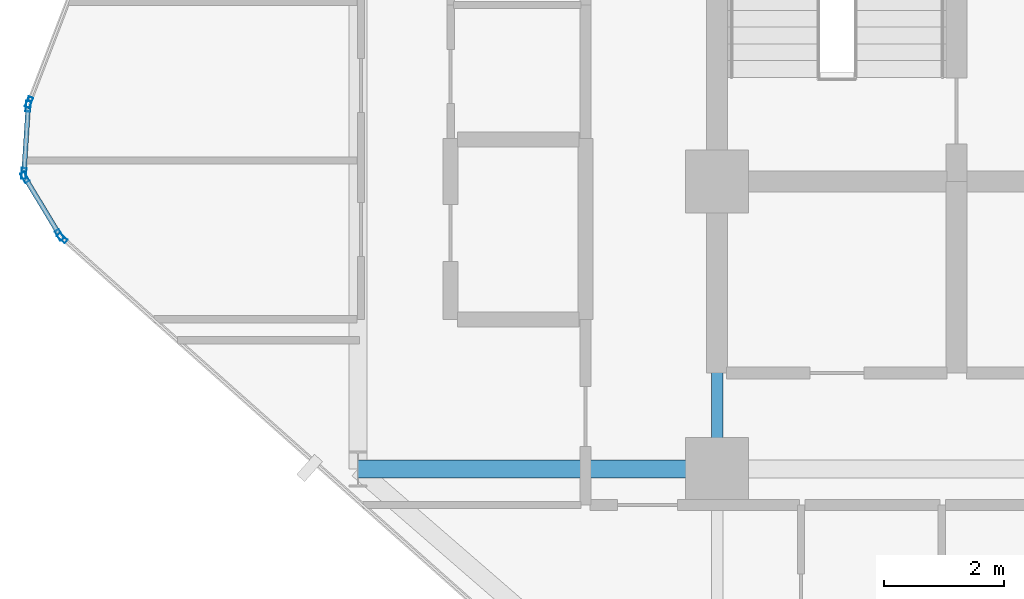
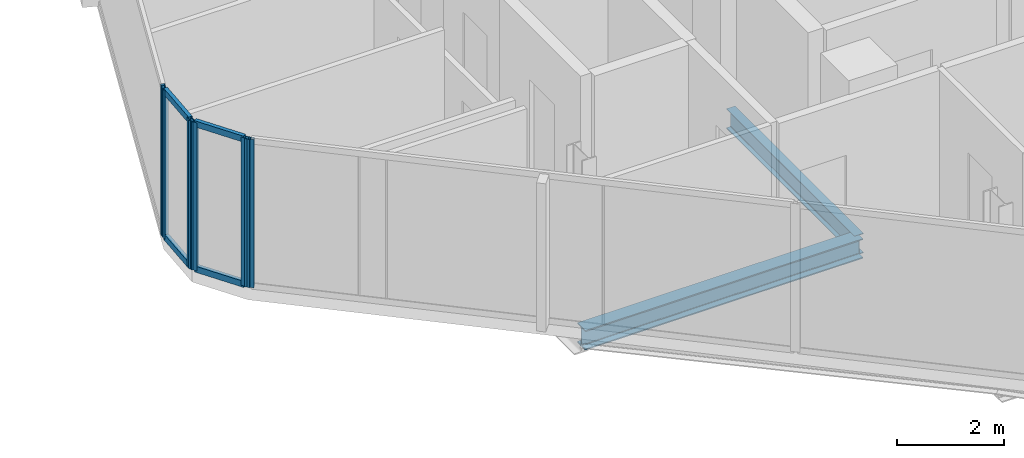
# One storey, part 6 of 29: 10 members, 2 beams, 4 elements without a shape of their own.
"""IFC4 building model written with IfcOpenShell, lengths in metres."""

from ifc_helpers import new_model, si_unit, direction, frame, origin, origin_2d, place, context, subcontext, project, spatial, hollow_rectangle, i_section, extrude, material, layer, layer_set, material_profile, profile_set, type_object, element, aggregate, save


model = new_model("IFC4")

# Units and contexts
model_context = context("Model", 3, precision=1e-05, world=origin(), true_north=direction((0.0, 1.0)))
body_context = subcontext(model_context, "Body", "Model", "MODEL_VIEW")
ifc_project = project(units=[si_unit("LENGTHUNIT", "METRE"), si_unit("AREAUNIT", "SQUARE_METRE"), si_unit("VOLUMEUNIT", "CUBIC_METRE"), si_unit("PLANEANGLEUNIT", "RADIAN"), si_unit("MASSUNIT", "GRAM", prefix="KILO")], contexts=[model_context])

# Site, building, storey
site_placement = place(None, origin())
site = spatial("IfcSite", under=ifc_project, at=site_placement, CompositionType="ELEMENT")
building_placement = place(site_placement, origin())
building = spatial("IfcBuilding", under=site, at=building_placement, Name="Keshet Zoharim Tower", CompositionType="ELEMENT")
storey_placement = place(building_placement, frame((0.0, 0.0, 102.0)))
storey = spatial("IfcBuildingStorey", under=building, at=storey_placement, Name="L24", CompositionType="ELEMENT", Elevation=102.0)

# Beams
ifc_material_1 = material(Name="Steel S355", Category="steel")
ifc_material_profile_1 = material_profile(ifc_material_1, i_section(OverallWidth=0.18994140625, OverallDepth=0.449951171875, WebThickness=0.009521484375, FlangeThickness=0.0146484375, FilletRadius=0.02099609375, at=origin_2d()), Name="IPE450")
ifc_profile_set_1 = profile_set([ifc_material_profile_1], Name="Steel S355")
beam_type_1 = type_object("IfcBeamType", Name="BM-PRI-IP450", PredefinedType="BEAM", material=ifc_profile_set_1)
beam_1_placement = place(storey_placement, frame((15.0, 17.89990234375, -0.5400390625), z_axis=(0.0, 1.0, 0.0), x_axis=(-1.0, 0.0, 0.0)))
element("IfcBeam", 1, at=beam_1_placement, inside=storey, type_object=beam_type_1, Name="L24 Primary Girder Y-003", PredefinedType="BEAM", context=body_context, shape_type="SweptSolid", body=[
    extrude(i_section(OverallWidth=0.18994140625, OverallDepth=0.449951171875, WebThickness=0.009521484375, FlangeThickness=0.0146484375, FilletRadius=0.02099609375, at=origin_2d()), origin(), (0.0, 0.0, 1.0), 4.800048828125),
])
ifc_material_profile_2 = material_profile(ifc_material_1, i_section(OverallWidth=0.300048828125, OverallDepth=0.449951171875, WebThickness=0.013916015625, FlangeThickness=0.02587890625, FilletRadius=0.027099609375, at=origin_2d()), Name="HEB450")
ifc_profile_set_2 = profile_set([ifc_material_profile_2], Name="Steel S355")
beam_type_2 = type_object("IfcBeamType", Name="BM-WEB-HB450", PredefinedType="BEAM", material=ifc_profile_set_2)
beam_2_placement = place(storey_placement, frame((9.0, 17.89990234375, -0.5400390625), z_axis=(1.0, 0.0, 0.0), x_axis=(0.0, 1.0, 0.0)))
element("IfcBeam", 2, at=beam_2_placement, inside=storey, type_object=beam_type_2, Name="L24 Primary Girder X-011", PredefinedType="BEAM", context=body_context, shape_type="SweptSolid", body=[
    extrude(i_section(OverallWidth=0.300048828125, OverallDepth=0.449951171875, WebThickness=0.013916015625, FlangeThickness=0.02587890625, FilletRadius=0.027099609375, at=origin_2d()), origin(), (0.0, 0.0, 1.0), 6.0),
])

# Curtain wall, member
ifc_material_2 = material(Name="Aluminium 6063-T6", Category="aluminium")
ifc_layer = layer(ifc_material_2, 0.159912109375)
ifc_layer_set = layer_set([ifc_layer], Name="Aluminium 6063-T6")
curtain_wall_type = type_object("IfcCurtainWallType", Name="CW-SYS-03", PredefinedType="NOTDEFINED", material=ifc_layer_set)
curtain_wall_1_placement = place(storey_placement, origin())
curtain_wall_1 = element("IfcCurtainWall", 3, at=curtain_wall_1_placement, inside=storey, type_object=curtain_wall_type, Name="L24 Unitised Curtain Wall 07 Part 2", PredefinedType="NOTDEFINED")
ifc_material_profile_3 = material_profile(ifc_material_2, hollow_rectangle(XDim=0.080078125, YDim=0.179931640625, WallThickness=0.00439453125, at=origin_2d()), Name="MUL-80x180")
ifc_profile_set_3 = profile_set([ifc_material_profile_3], Name="Aluminium 6063-T6")
member_type_1 = type_object("IfcMemberType", Name="CWM-M18", PredefinedType="MULLION", material=ifc_profile_set_3)
member_1_placement = place(storey_placement, frame((4.061279296875, 21.7568359375, 0.0), z_axis=(0.0, 0.0, 1.0), x_axis=(-0.664364135264, -0.747409055186, 0.0)))
member_1 = element("IfcMember", 4, at=member_1_placement, type_object=member_type_1, Name="CW-03 mullion 3", PredefinedType="MULLION", context=body_context, shape_type="SweptSolid", body=[
    extrude(hollow_rectangle(XDim=0.080078125, YDim=0.179931640625, WallThickness=0.00439453125, at=origin_2d()), origin(), (0.0, 0.0, 1.0), 3.385009765625),
])
aggregate(curtain_wall_1, [member_1])

# Curtain wall, members
curtain_wall_2_placement = place(storey_placement, origin())
curtain_wall_2 = element("IfcCurtainWall", 5, at=curtain_wall_2_placement, inside=storey, type_object=curtain_wall_type, Name="L24 Unitised Curtain Wall 08", PredefinedType="NOTDEFINED")
member_2_placement = place(storey_placement, frame((4.016845703125, 21.81005859375, 0.0), z_axis=(0.0, 0.0, 1.0), x_axis=(-0.856826433805, -0.515604947933, 0.0)))
member_2 = element("IfcMember", 6, at=member_2_placement, type_object=member_type_1, Name="CW-03 mullion 1", PredefinedType="MULLION", context=body_context, shape_type="SweptSolid", body=[
    extrude(hollow_rectangle(XDim=0.080078125, YDim=0.179931640625, WallThickness=0.00439453125, at=origin_2d()), origin(), (0.0, 0.0, 1.0), 3.385009765625),
])
member_3_placement = place(storey_placement, frame((3.43798828125, 22.77197265625, 0.0), z_axis=(0.0, 0.0, 1.0), x_axis=(-0.856826433805, -0.515604947933, 0.0)))
member_3 = element("IfcMember", 7, at=member_3_placement, type_object=member_type_1, Name="CW-03 mullion 2", PredefinedType="MULLION", context=body_context, shape_type="SweptSolid", body=[
    extrude(hollow_rectangle(XDim=0.080078125, YDim=0.179931640625, WallThickness=0.00439453125, at=origin_2d()), origin(), (0.0, 0.0, 1.0), 3.385009765625),
])

curtain_wall_3_placement = place(storey_placement, origin())
curtain_wall_3 = element("IfcCurtainWall", 8, at=curtain_wall_3_placement, inside=storey, type_object=curtain_wall_type, Name="L24 Unitised Curtain Wall 09", PredefinedType="NOTDEFINED")
member_4_placement = place(storey_placement, frame((3.42236328125, 22.8369140625, 0.0), z_axis=(0.0, 0.0, 1.0), x_axis=(-0.997916617186, 0.064516859374, 0.0)))
member_4 = element("IfcMember", 9, at=member_4_placement, type_object=member_type_1, Name="CW-03 mullion 1", PredefinedType="MULLION", context=body_context, shape_type="SweptSolid", body=[
    extrude(hollow_rectangle(XDim=0.080078125, YDim=0.179931640625, WallThickness=0.00439453125, at=origin_2d()), origin(), (0.0, 0.0, 1.0), 3.385009765625),
])
member_5_placement = place(storey_placement, frame((3.49462890625, 23.9580078125, 0.0), z_axis=(0.0, 0.0, 1.0), x_axis=(-0.997916617186, 0.064516859374, 0.0)))
member_5 = element("IfcMember", 10, at=member_5_placement, type_object=member_type_1, Name="CW-03 mullion 2", PredefinedType="MULLION", context=body_context, shape_type="SweptSolid", body=[
    extrude(hollow_rectangle(XDim=0.080078125, YDim=0.179931640625, WallThickness=0.00439453125, at=origin_2d()), origin(), (0.0, 0.0, 1.0), 3.385009765625),
])

# Curtain wall, member
curtain_wall_4_placement = place(storey_placement, origin())
curtain_wall_4 = element("IfcCurtainWall", 11, at=curtain_wall_4_placement, inside=storey, type_object=curtain_wall_type, Name="L24 Unitised Curtain Wall 10", PredefinedType="NOTDEFINED")
member_6_placement = place(storey_placement, frame((3.509521484375, 24.025634765625, 0.0), z_axis=(0.0, 0.0, 1.0), x_axis=(-0.933341404361, 0.358990003907, 0.0)))
member_6 = element("IfcMember", 12, at=member_6_placement, type_object=member_type_1, Name="CW-03 mullion 1", PredefinedType="MULLION", context=body_context, shape_type="SweptSolid", body=[
    extrude(hollow_rectangle(XDim=0.080078125, YDim=0.179931640625, WallThickness=0.00439453125, at=origin_2d()), origin(), (0.0, 0.0, 1.0), 3.385009765625),
])
aggregate(curtain_wall_4, [member_6])

# Member
ifc_material_profile_4 = material_profile(ifc_material_2, hollow_rectangle(XDim=0.080078125, YDim=0.139892578125, WallThickness=0.00390625, at=origin_2d()), Name="TRN-80x140")
ifc_profile_set_4 = profile_set([ifc_material_profile_4], Name="Aluminium 6063-T6")
member_type_2 = type_object("IfcMemberType", Name="CWT-T14", PredefinedType="USERDEFINED", material=ifc_profile_set_4)
member_7_placement = place(storey_placement, frame((3.9990234375, 21.840087890625, 0.034912109375), z_axis=(-0.515791194107, 0.856714330499, 0.0), x_axis=(-0.856714330499, -0.515791194107, 0.0)))
member_7 = element("IfcMember", 13, at=member_7_placement, type_object=member_type_2, Name="CW-03 transom 1.1", ObjectType="TRANSOM", PredefinedType="USERDEFINED", context=body_context, shape_type="SweptSolid", body=[
    extrude(hollow_rectangle(XDim=0.080078125, YDim=0.139892578125, WallThickness=0.00390625, at=origin_2d()), origin(), (0.0, 0.0, 1.0), 1.052734375),
])

member_8_placement = place(storey_placement, frame((3.9990234375, 21.840087890625, 3.35009765625), z_axis=(-0.515791194107, 0.856714330499, 0.0), x_axis=(-0.856714330499, -0.515791194107, 0.0)))
member_8 = element("IfcMember", 14, at=member_8_placement, type_object=member_type_2, Name="CW-03 transom 1.2", ObjectType="TRANSOM", PredefinedType="USERDEFINED", context=body_context, shape_type="SweptSolid", body=[
    extrude(hollow_rectangle(XDim=0.080078125, YDim=0.139892578125, WallThickness=0.00390625, at=origin_2d()), origin(), (0.0, 0.0, 1.0), 1.052734375),
])

aggregate(curtain_wall_2, [member_2, member_3, member_7, member_8])

member_9_placement = place(storey_placement, frame((3.424560546875, 22.871826171875, 0.034912109375), z_axis=(0.064426947155, 0.997922426083, 0.0), x_axis=(-0.997922426083, 0.064426947155, 0.0)))
member_9 = element("IfcMember", 15, at=member_9_placement, type_object=member_type_2, Name="CW-03 transom 1.1", ObjectType="TRANSOM", PredefinedType="USERDEFINED", context=body_context, shape_type="SweptSolid", body=[
    extrude(hollow_rectangle(XDim=0.080078125, YDim=0.139892578125, WallThickness=0.00390625, at=origin_2d()), origin(), (0.0, 0.0, 1.0), 1.053466796875),
])

member_10_placement = place(storey_placement, frame((3.424560546875, 22.871826171875, 3.35009765625), z_axis=(0.064426947155, 0.997922426083, 0.0), x_axis=(-0.997922426083, 0.064426947155, 0.0)))
member_10 = element("IfcMember", 16, at=member_10_placement, type_object=member_type_2, Name="CW-03 transom 1.2", ObjectType="TRANSOM", PredefinedType="USERDEFINED", context=body_context, shape_type="SweptSolid", body=[
    extrude(hollow_rectangle(XDim=0.080078125, YDim=0.139892578125, WallThickness=0.00390625, at=origin_2d()), origin(), (0.0, 0.0, 1.0), 1.053466796875),
])

aggregate(curtain_wall_3, [member_4, member_5, member_9, member_10])

save(model, "model.ifc")
